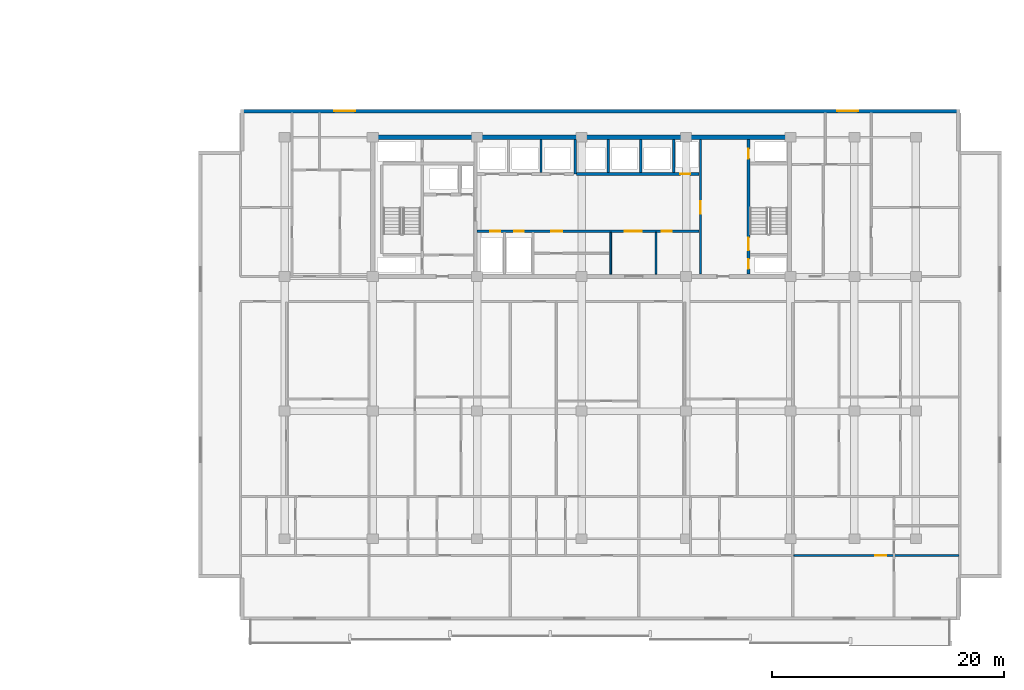
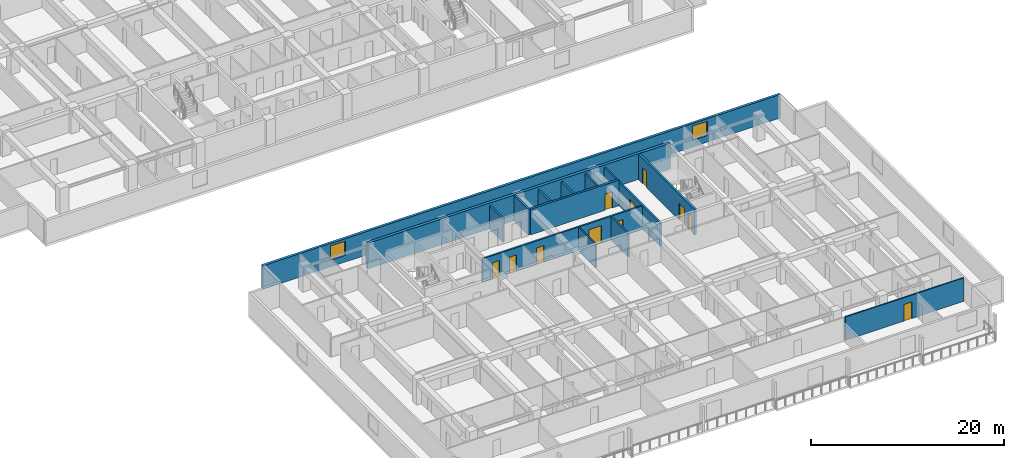
# One storey, part 7 of 23: 14 walls, 11 doors, 2 windows, 13 openings.
"""IFC4 building model written with IfcOpenShell, lengths in metres."""

from ifc_helpers import new_model, si_unit, direction, frame, frame_2d, origin, place, context, subcontext, project, spatial, rectangle, extrude, material, layer, layer_set, type_object, element, fill, save


model = new_model("IFC4")

# Units and contexts
model_context = context("Model", 3, precision=1e-05, world=origin(), true_north=direction((0.0, 1.0)))
body_context = subcontext(model_context, "Body", "Model", "MODEL_VIEW")
ifc_project = project(units=[si_unit("LENGTHUNIT", "METRE"), si_unit("AREAUNIT", "SQUARE_METRE"), si_unit("VOLUMEUNIT", "CUBIC_METRE"), si_unit("PLANEANGLEUNIT", "RADIAN"), si_unit("MASSUNIT", "GRAM", prefix="KILO")], contexts=[model_context])

# Site, building, storey
site_placement = place(None, origin())
site = spatial("IfcSite", under=ifc_project, at=site_placement, CompositionType="ELEMENT")
building_placement = place(site_placement, origin())
building = spatial("IfcBuilding", under=site, at=building_placement, Name="Korimba Cascade Residences", CompositionType="ELEMENT")
storey_placement = place(building_placement, frame((0.0, 0.0, 30.5)))
storey = spatial("IfcBuildingStorey", under=building, at=storey_placement, Name="L07", CompositionType="ELEMENT", Elevation=30.5)

# Wall, openings, windows
ifc_material_1 = material(Name="Precast concrete C40/50", Category="concrete")
ifc_layer_1 = layer(ifc_material_1, 0.300048828125)
ifc_layer_set_1 = layer_set([ifc_layer_1], Name="Precast concrete C40/50")
wall_type_1 = type_object("IfcWallType", Name="EW-STONE-300", PredefinedType="STANDARD", material=ifc_layer_set_1)
wall_1_placement = place(storey_placement, frame((132.699951171875, 32.64990234375, 0.0), z_axis=(0.0, 0.0, 1.0), x_axis=(-1.0, 0.0, 0.0)))
wall_1 = element("IfcWall", 1, at=wall_1_placement, inside=storey, type_object=wall_type_1, Name="L07 T2 Perimeter Stone Wall E06", PredefinedType="STANDARD", context=body_context, shape_type="SweptSolid", body=[
    extrude(rectangle(XDim=62.0, YDim=0.300048828125, at=frame_2d((31.0, 0.0))), origin(), (0.0, 0.0, 1.0), 2.969970703125),
])
opening_1_placement = place(wall_1_placement, frame((52.125, 0.0, 0.85009765625)))
opening_1 = element("IfcOpeningElement", 2, at=opening_1_placement, cuts=wall_1, Name="Opening W-02", PredefinedType="OPENING", context=body_context, shape_type="SweptSolid", body=[
    extrude(rectangle(XDim=1.800048828125, YDim=1.800048828125, at=frame_2d((0.89990234375, 0.89990234375))), frame((0.0, 0.16015625, 0.0), z_axis=(0.0, -1.0, 0.0), x_axis=(1.0, 0.0, 0.0)), (0.0, 0.0, 1.0), 0.320068359375),
])
opening_2_placement = place(wall_1_placement, frame((8.77490234375, 0.0, 0.85009765625)))
opening_2 = element("IfcOpeningElement", 3, at=opening_2_placement, cuts=wall_1, Name="Opening W-02", PredefinedType="OPENING", context=body_context, shape_type="SweptSolid", body=[
    extrude(rectangle(XDim=1.800048828125, YDim=1.800048828125, at=frame_2d((0.89990234375, 0.89990234375))), frame((0.0, 0.16015625, 0.0), z_axis=(0.0, -1.0, 0.0), x_axis=(1.0, 0.0, 0.0)), (0.0, 0.0, 1.0), 0.320068359375),
])
ifc_material_2 = material(Name="Double-Glazed Aluminium Window", Category="aluminium")
window_type = type_object("IfcWindowType", Name="WIN-BED-1800", PartitioningType="SINGLE_PANEL", PredefinedType="WINDOW", material=ifc_material_2)
window_1_placement = place(opening_1_placement, origin())
window_1 = element("IfcWindow", 4, at=window_1_placement, inside=storey, type_object=window_type, Name="L07 T2 North Corner Bedroom Window 1", OverallHeight=1.800048828125, OverallWidth=1.800048828125, PartitioningType="SINGLE_PANEL", PredefinedType="WINDOW", context=body_context, shape_type="SweptSolid", body=[
    extrude(rectangle(XDim=1.800048828125, YDim=1.800048828125, at=frame_2d((0.89990234375, 0.89990234375))), frame((0.0, 0.030029296875, 0.0), z_axis=(0.0, -1.0, 0.0), x_axis=(1.0, 0.0, 0.0)), (0.0, 0.0, 1.0), 0.06005859375),
])
fill(opening_1, window_1)
window_2_placement = place(opening_2_placement, origin())
window_2 = element("IfcWindow", 5, at=window_2_placement, inside=storey, type_object=window_type, Name="L07 T2 North Corner Bedroom Window 2", OverallHeight=1.800048828125, OverallWidth=1.800048828125, PartitioningType="SINGLE_PANEL", PredefinedType="WINDOW", context=body_context, shape_type="SweptSolid", body=[
    extrude(rectangle(XDim=1.800048828125, YDim=1.800048828125, at=frame_2d((0.89990234375, 0.89990234375))), frame((0.0, 0.030029296875, 0.0), z_axis=(0.0, -1.0, 0.0), x_axis=(1.0, 0.0, 0.0)), (0.0, 0.0, 1.0), 0.06005859375),
])
fill(opening_2, window_2)

# Walls
ifc_material_3 = material(Name="Concrete C65/80", Category="concrete")
ifc_layer_2 = layer(ifc_material_3, 0.35009765625)
ifc_layer_set_2 = layer_set([ifc_layer_2], Name="Concrete C65/80")
wall_type_2 = type_object("IfcWallType", Name="WAL-CORE-350", PredefinedType="SHEAR", material=ifc_layer_set_2)
wall_2_placement = place(storey_placement, frame((81.925048828125, 30.39990234375, 0.0), z_axis=(0.0, 0.0, 1.0), x_axis=(1.0, 0.0, 0.0)))
element("IfcWall", 6, at=wall_2_placement, inside=storey, type_object=wall_type_2, Name="L07 Core Shear Wall CW-L07-T2-N", PredefinedType="SHEAR", context=body_context, shape_type="SweptSolid", body=[
    extrude(rectangle(XDim=36.264892578125, YDim=0.35009765625, at=frame_2d((18.13232421875, 0.0))), origin(), (0.0, 0.0, 1.0), 3.25),
])
ifc_material_4 = material(Name="Insulated Acoustic Stud Partition", Category="gypsum")
ifc_layer_3 = layer(ifc_material_4, 0.14990234375)
ifc_layer_set_3 = layer_set([ifc_layer_3], Name="Insulated Acoustic Stud Partition")
wall_type_3 = type_object("IfcWallType", Name="WAL-PART-150", PredefinedType="PARTITIONING", material=ifc_layer_set_3)
for number, where, z_axis, x_axis, name in (
    (7, (102.60009765625, 18.60009765625, 0.0), (0.0, 0.0, 1.0), (0.0, 1.0, 0.0), "L07 Partition Wall CW-L07-T2-THW"),
    (8, (106.5, 18.60009765625, 0.0), (0.0, 0.0, 1.0), (0.0, 1.0, 0.0), "L07 Partition Wall CW-L07-T2-THE"),
):
    element("IfcWall", number, at=place(storey_placement, frame(where, z_axis=z_axis, x_axis=x_axis)), inside=storey, type_object=wall_type_3, Name=name, PredefinedType="PARTITIONING", context=body_context, shape_type="SweptSolid", body=[
        extrude(rectangle(XDim=3.599853515625, YDim=0.14990234375, at=frame_2d((1.7998046875, 0.0))), origin(), (0.0, 0.0, 1.0), 2.969970703125),
    ])

# Wall, opening, door
wall_3_placement = place(storey_placement, frame((118.38720703125, -5.64990234375, 0.0), z_axis=(0.0, 0.0, 1.0), x_axis=(1.0, 0.0, 0.0)))
wall_3 = element("IfcWall", 9, at=wall_3_placement, inside=storey, type_object=wall_type_3, Name="L07 Partition Wall WAL-L07-T2-U05-HZ", PredefinedType="PARTITIONING", context=body_context, shape_type="SweptSolid", body=[
    extrude(rectangle(XDim=14.23291015625, YDim=0.14990234375, at=frame_2d((7.116455078125, 0.0))), origin(), (0.0, 0.0, 1.0), 2.969970703125),
])
opening_3_placement = place(wall_3_placement, frame((7.01123046875, 0.0, 0.0)))
opening_3 = element("IfcOpeningElement", 10, at=opening_3_placement, cuts=wall_3, Name="Opening D-IN0", PredefinedType="OPENING", context=body_context, shape_type="SweptSolid", body=[
    extrude(rectangle(XDim=0.93994140625, YDim=2.10009765625, at=frame_2d((0.469970703125, 1.050048828125))), frame((0.0, 0.0849609375, 0.0), z_axis=(0.0, -1.0, 0.0), x_axis=(1.0, 0.0, 0.0)), (0.0, 0.0, 1.0), 0.169921875),
])
ifc_material_5 = material(Name="Acoustic Timber Living Archway Door", Category="wood")
door_type_1 = type_object("IfcDoorType", Name="DR-INT-950", OperationType="NOTDEFINED", PredefinedType="DOOR", material=ifc_material_5)
door_1_placement = place(opening_3_placement, origin())
door_1 = element("IfcDoor", 11, at=door_1_placement, inside=storey, type_object=door_type_1, Name="L07-T2-U05 Living Archway Door", OperationType="SINGLE_SWING_RIGHT", OverallHeight=2.10009765625, OverallWidth=0.93994140625, PredefinedType="DOOR", context=body_context, shape_type="SweptSolid", body=[
    extrude(rectangle(XDim=0.93994140625, YDim=2.10009765625, at=frame_2d((0.469970703125, 1.050048828125))), frame((0.0, 0.02490234375, 0.0), z_axis=(0.0, -1.0, 0.0), x_axis=(1.0, 0.0, 0.0)), (0.0, 0.0, 1.0), 0.050048828125),
])
fill(opening_3, door_1)

# Walls
ifc_material_6 = material(Name="Concrete C40/50", Category="concrete")
ifc_layer_4 = layer(ifc_material_6, 0.199951171875)
ifc_layer_set_4 = layer_set([ifc_layer_4], Name="Concrete C40/50")
wall_type_4 = type_object("IfcWallType", Name="WAL-PART-200", PredefinedType="PARTITIONING", material=ifc_layer_set_4)
for number, where, z_axis, x_axis, name in (
    (12, (96.60009765625, 27.3798828125, 0.0), (0.0, 0.0, 1.0), (0.0, 1.0, 0.0), "L07 Partition Wall CW-L07-T2-B1D2"),
    (13, (102.39990234375, 27.3798828125, 0.0), (0.0, 0.0, 1.0), (0.0, 1.0, 0.0), "L07 Partition Wall CW-L07-T2-B2D1"),
    (14, (105.199951171875, 27.3798828125, 0.0), (0.0, 0.0, 1.0), (0.0, 1.0, 0.0), "L07 Partition Wall CW-L07-T2-B2D2"),
    (15, (108.050048828125, 27.3798828125, 0.0), (0.0, 0.0, 1.0), (0.0, 1.0, 0.0), "L07 Partition Wall CW-L07-T2-B2D3"),
):
    element("IfcWall", number, at=place(storey_placement, frame(where, z_axis=z_axis, x_axis=x_axis)), inside=storey, type_object=wall_type_4, Name=name, PredefinedType="PARTITIONING", context=body_context, shape_type="SweptSolid", body=[
        extrude(rectangle(XDim=2.820068359375, YDim=0.199951171875, at=frame_2d((1.41015625, 0.0))), origin(), (0.0, 0.0, 1.0), 2.969970703125),
    ])

# Wall, openings, doors
wall_4_placement = place(storey_placement, frame((91.080078125, 22.300048828125, 0.0), z_axis=(0.0, 0.0, 1.0), x_axis=(1.0, 0.0, 0.0)))
wall_4 = element("IfcWall", 16, at=wall_4_placement, inside=storey, type_object=wall_type_4, Name="L07 Partition Wall CW-L07-T2-SRVROW", PredefinedType="PARTITIONING", context=body_context, shape_type="SweptSolid", body=[
    extrude(rectangle(XDim=19.139892578125, YDim=0.199951171875, at=frame_2d((9.56982421875, 0.0))), origin(), (0.0, 0.0, 1.0), 2.969970703125),
])
opening_4_placement = place(wall_4_placement, frame((1.14990234375, 0.0, 0.0)))
opening_4 = element("IfcOpeningElement", 17, at=opening_4_placement, cuts=wall_4, Name="Opening D-RS1", PredefinedType="OPENING", context=body_context, shape_type="SweptSolid", body=[
    extrude(rectangle(XDim=0.85009765625, YDim=2.050048828125, at=frame_2d((0.425048828125, 1.02490234375))), frame((0.0, 0.10986328125, 0.0), z_axis=(0.0, -1.0, 0.0), x_axis=(1.0, 0.0, 0.0)), (0.0, 0.0, 1.0), 0.219970703125),
])
opening_5_placement = place(wall_4_placement, frame((3.199951171875, 0.0, 0.0)))
opening_5 = element("IfcOpeningElement", 18, at=opening_5_placement, cuts=wall_4, Name="Opening D-RS1", PredefinedType="OPENING", context=body_context, shape_type="SweptSolid", body=[
    extrude(rectangle(XDim=0.85009765625, YDim=2.050048828125, at=frame_2d((0.425048828125, 1.02490234375))), frame((0.0, 0.10986328125, 0.0), z_axis=(0.0, -1.0, 0.0), x_axis=(1.0, 0.0, 0.0)), (0.0, 0.0, 1.0), 0.219970703125),
])
opening_6_placement = place(wall_4_placement, frame((12.719970703125, 0.0, 0.0)))
opening_6 = element("IfcOpeningElement", 19, at=opening_6_placement, cuts=wall_4, Name="Opening D-FD8", PredefinedType="OPENING", context=body_context, shape_type="SweptSolid", body=[
    extrude(rectangle(XDim=1.5, YDim=2.199951171875, at=frame_2d((0.75, 1.10009765625))), frame((0.0, 0.10986328125, 0.0), z_axis=(0.0, -1.0, 0.0), x_axis=(1.0, 0.0, 0.0)), (0.0, 0.0, 1.0), 0.219970703125),
])
opening_7_placement = place(wall_4_placement, frame((6.419921875, 0.0, 0.0)))
opening_7 = element("IfcOpeningElement", 20, at=opening_7_placement, cuts=wall_4, Name="Opening D-IN1", PredefinedType="OPENING", context=body_context, shape_type="SweptSolid", body=[
    extrude(rectangle(XDim=0.919921875, YDim=2.080078125, at=frame_2d((0.4599609375, 1.0400390625))), frame((0.0, 0.10986328125, 0.0), z_axis=(0.0, -1.0, 0.0), x_axis=(1.0, 0.0, 0.0)), (0.0, 0.0, 1.0), 0.219970703125),
])
opening_8_placement = place(wall_4_placement, frame((15.919921875, 0.0, 0.0)))
opening_8 = element("IfcOpeningElement", 21, at=opening_8_placement, cuts=wall_4, Name="Opening D-IN2", PredefinedType="OPENING", context=body_context, shape_type="SweptSolid", body=[
    extrude(rectangle(XDim=0.8798828125, YDim=2.06005859375, at=frame_2d((0.43994140625, 1.030029296875))), frame((0.0, 0.10986328125, 0.0), z_axis=(0.0, -1.0, 0.0), x_axis=(1.0, 0.0, 0.0)), (0.0, 0.0, 1.0), 0.219970703125),
])
ifc_material_7 = material(Name="Fire-Rated Steel Riser Access Door", Category="steel")
door_type_2 = type_object("IfcDoorType", Name="DR-FD60-850", OperationType="NOTDEFINED", PredefinedType="DOOR", material=ifc_material_7)
door_2_placement = place(opening_4_placement, origin())
door_2 = element("IfcDoor", 22, at=door_2_placement, inside=storey, type_object=door_type_2, Name="L07 T2 Electrical Riser Door", OperationType="SINGLE_SWING_RIGHT", OverallHeight=2.050048828125, OverallWidth=0.85009765625, PredefinedType="DOOR", context=body_context, shape_type="SweptSolid", body=[
    extrude(rectangle(XDim=0.85009765625, YDim=2.050048828125, at=frame_2d((0.425048828125, 1.02490234375))), frame((0.0, 0.02490234375, 0.0), z_axis=(0.0, -1.0, 0.0), x_axis=(1.0, 0.0, 0.0)), (0.0, 0.0, 1.0), 0.050048828125),
])
fill(opening_4, door_2)
door_3_placement = place(opening_5_placement, origin())
door_3 = element("IfcDoor", 23, at=door_3_placement, inside=storey, type_object=door_type_2, Name="L07 T2 Plumbing Riser Door", OperationType="SINGLE_SWING_LEFT", OverallHeight=2.050048828125, OverallWidth=0.85009765625, PredefinedType="DOOR", context=body_context, shape_type="SweptSolid", body=[
    extrude(rectangle(XDim=0.85009765625, YDim=2.050048828125, at=frame_2d((0.425048828125, 1.02490234375))), frame((0.0, 0.02490234375, 0.0), z_axis=(0.0, -1.0, 0.0), x_axis=(1.0, 0.0, 0.0)), (0.0, 0.0, 1.0), 0.050048828125),
])
fill(opening_5, door_3)
ifc_material_8 = material(Name="Fire-Rated Glazed Lift Lobby Double Door", Category="glass")
door_type_3 = type_object("IfcDoorType", Name="DR-FD90-1500", OperationType="NOTDEFINED", PredefinedType="DOOR", material=ifc_material_8)
door_4_placement = place(opening_6_placement, origin())
door_4 = element("IfcDoor", 24, at=door_4_placement, inside=storey, type_object=door_type_3, Name="L07 T2 Lift Lobby Foyer Door", OperationType="DOUBLE_DOOR_SINGLE_SWING", OverallHeight=2.199951171875, OverallWidth=1.5, PredefinedType="DOOR", context=body_context, shape_type="SweptSolid", body=[
    extrude(rectangle(XDim=1.5, YDim=2.199951171875, at=frame_2d((0.75, 1.10009765625))), frame((0.0, 0.02490234375, 0.0), z_axis=(0.0, -1.0, 0.0), x_axis=(1.0, 0.0, 0.0)), (0.0, 0.0, 1.0), 0.050048828125),
])
fill(opening_6, door_4)
ifc_material_9 = material(Name="Acoustic Timber Bedroom Door", Category="wood")
door_type_4 = type_object("IfcDoorType", Name="DR-INT-880", OperationType="NOTDEFINED", PredefinedType="DOOR", material=ifc_material_9)
door_5_placement = place(opening_8_placement, origin())
door_5 = element("IfcDoor", 25, at=door_5_placement, inside=storey, type_object=door_type_4, Name="L07 T2 Staff WC Door", OperationType="SINGLE_SWING_LEFT", OverallHeight=2.06005859375, OverallWidth=0.8798828125, PredefinedType="DOOR", context=body_context, shape_type="SweptSolid", body=[
    extrude(rectangle(XDim=0.8798828125, YDim=2.06005859375, at=frame_2d((0.43994140625, 1.030029296875))), frame((0.0, 0.02490234375, 0.0), z_axis=(0.0, -1.0, 0.0), x_axis=(1.0, 0.0, 0.0)), (0.0, 0.0, 1.0), 0.050048828125),
])
fill(opening_8, door_5)
ifc_material_10 = material(Name="Acoustic Timber Living Door", Category="wood")
door_type_5 = type_object("IfcDoorType", Name="DR-INT-920", OperationType="NOTDEFINED", PredefinedType="DOOR", material=ifc_material_10)
door_6_placement = place(opening_7_placement, origin())
door_6 = element("IfcDoor", 26, at=door_6_placement, inside=storey, type_object=door_type_5, Name="L07 T2 Locker Door", OperationType="SINGLE_SWING_RIGHT", OverallHeight=2.080078125, OverallWidth=0.919921875, PredefinedType="DOOR", context=body_context, shape_type="SweptSolid", body=[
    extrude(rectangle(XDim=0.919921875, YDim=2.080078125, at=frame_2d((0.4599609375, 1.0400390625))), frame((0.0, 0.02490234375, 0.0), z_axis=(0.0, -1.0, 0.0), x_axis=(1.0, 0.0, 0.0)), (0.0, 0.0, 1.0), 0.050048828125),
])
fill(opening_7, door_6)

# Wall, opening, door
wall_5_placement = place(storey_placement, frame((110.35009765625, 18.60009765625, 0.0), z_axis=(0.0, 0.0, 1.0), x_axis=(0.0, 1.0, 0.0)))
wall_5 = element("IfcWall", 27, at=wall_5_placement, inside=storey, type_object=wall_type_4, Name="L07 Partition Wall CW-L07-T2-LLEV", PredefinedType="PARTITIONING", context=body_context, shape_type="SweptSolid", body=[
    extrude(rectangle(XDim=11.599853515625, YDim=0.199951171875, at=frame_2d((5.7998046875, 0.0))), origin(), (0.0, 0.0, 1.0), 2.969970703125),
])
opening_9_placement = place(wall_5_placement, frame((5.199951171875, 0.0, 0.0)))
opening_9 = element("IfcOpeningElement", 28, at=opening_9_placement, cuts=wall_5, Name="Opening D-FD6", PredefinedType="OPENING", context=body_context, shape_type="SweptSolid", body=[
    extrude(rectangle(XDim=1.10009765625, YDim=2.14990234375, at=frame_2d((0.550048828125, 1.074951171875))), frame((0.0, 0.10986328125, 0.0), z_axis=(0.0, -1.0, 0.0), x_axis=(1.0, 0.0, 0.0)), (0.0, 0.0, 1.0), 0.219970703125),
])
ifc_material_11 = material(Name="Fire-Rated Timber Stair Lobby Door", Category="wood")
door_type_6 = type_object("IfcDoorType", Name="DR-FD90-1100", OperationType="NOTDEFINED", PredefinedType="DOOR", material=ifc_material_11)
door_7_placement = place(opening_9_placement, origin())
door_7 = element("IfcDoor", 29, at=door_7_placement, inside=storey, type_object=door_type_6, Name="L07 T2 Lift Lobby to East Stair Lobby Door", OperationType="SINGLE_SWING_RIGHT", OverallHeight=2.14990234375, OverallWidth=1.10009765625, PredefinedType="DOOR", context=body_context, shape_type="SweptSolid", body=[
    extrude(rectangle(XDim=1.10009765625, YDim=2.14990234375, at=frame_2d((0.550048828125, 1.074951171875))), frame((0.0, 0.02490234375, 0.0), z_axis=(0.0, -1.0, 0.0), x_axis=(1.0, 0.0, 0.0)), (0.0, 0.0, 1.0), 0.050048828125),
])
fill(opening_9, door_7)

# Wall
ifc_material_12 = material(Name="Concrete C50/60", Category="concrete")
ifc_layer_5 = layer(ifc_material_12, 0.25)
ifc_layer_set_5 = layer_set([ifc_layer_5], Name="Concrete C50/60")
wall_type_5 = type_object("IfcWallType", Name="WAL-SHAFT-250", PredefinedType="SHEAR", material=ifc_layer_set_5)
wall_6_placement = place(storey_placement, frame((99.550048828125, 27.25, 0.0), z_axis=(0.0, 0.0, 1.0), x_axis=(0.0, 1.0, 0.0)))
element("IfcWall", 30, at=wall_6_placement, inside=storey, type_object=wall_type_5, Name="L07 Core Shear Wall CW-L07-T2-B12DIV", PredefinedType="SHEAR", context=body_context, shape_type="SweptSolid", body=[
    extrude(rectangle(XDim=2.949951171875, YDim=0.25, at=frame_2d((1.47509765625, 0.0))), origin(), (0.0, 0.0, 1.0), 3.25),
])

# Wall, opening, door
wall_7_placement = place(storey_placement, frame((99.679931640625, 27.25, 0.0), z_axis=(0.0, 0.0, 1.0), x_axis=(1.0, 0.0, 0.0)))
wall_7 = element("IfcWall", 31, at=wall_7_placement, inside=storey, type_object=wall_type_5, Name="L07 Core Shear Wall CW-L07-T2-B2S", PredefinedType="SHEAR", context=body_context, shape_type="SweptSolid", body=[
    extrude(rectangle(XDim=10.5400390625, YDim=0.25, at=frame_2d((5.27001953125, 0.0))), origin(), (0.0, 0.0, 1.0), 3.25),
])
opening_10_placement = place(wall_7_placement, frame((8.919921875, 0.0, 0.0)))
opening_10 = element("IfcOpeningElement", 32, at=opening_10_placement, cuts=wall_7, Name="Opening D-RS1", PredefinedType="OPENING", context=body_context, shape_type="SweptSolid", body=[
    extrude(rectangle(XDim=0.85009765625, YDim=2.050048828125, at=frame_2d((0.425048828125, 1.02490234375))), frame((0.0, 0.135009765625, 0.0), z_axis=(0.0, -1.0, 0.0), x_axis=(1.0, 0.0, 0.0)), (0.0, 0.0, 1.0), 0.27001953125),
])
door_8_placement = place(opening_10_placement, origin())
door_8 = element("IfcDoor", 33, at=door_8_placement, inside=storey, type_object=door_type_2, Name="L07 T2 Duct Door", OperationType="SINGLE_SWING_RIGHT", OverallHeight=2.050048828125, OverallWidth=0.85009765625, PredefinedType="DOOR", context=body_context, shape_type="SweptSolid", body=[
    extrude(rectangle(XDim=0.85009765625, YDim=2.050048828125, at=frame_2d((0.425048828125, 1.02490234375))), frame((0.0, 0.02490234375, 0.0), z_axis=(0.0, -1.0, 0.0), x_axis=(1.0, 0.0, 0.0)), (0.0, 0.0, 1.0), 0.050048828125),
])
fill(opening_10, door_8)

# Wall, openings, doors
wall_8_placement = place(storey_placement, frame((114.47509765625, 18.60009765625, 0.0), z_axis=(0.0, 0.0, 1.0), x_axis=(0.0, 1.0, 0.0)))
wall_8 = element("IfcWall", 34, at=wall_8_placement, inside=storey, type_object=wall_type_5, Name="L07 Core Shear Wall CW-L07-T2-STE2W", PredefinedType="SHEAR", context=body_context, shape_type="SweptSolid", body=[
    extrude(rectangle(XDim=11.599853515625, YDim=0.25, at=frame_2d((5.7998046875, 0.0))), origin(), (0.0, 0.0, 1.0), 3.25),
])
opening_11_placement = place(wall_8_placement, frame((0.449951171875, 0.0, 0.0)))
opening_11 = element("IfcOpeningElement", 35, at=opening_11_placement, cuts=wall_8, Name="Opening D-RS1", PredefinedType="OPENING", context=body_context, shape_type="SweptSolid", body=[
    extrude(rectangle(XDim=0.85009765625, YDim=2.050048828125, at=frame_2d((0.425048828125, 1.02490234375))), frame((0.0, 0.135009765625, 0.0), z_axis=(0.0, -1.0, 0.0), x_axis=(1.0, 0.0, 0.0)), (0.0, 0.0, 1.0), 0.27001953125),
])
opening_12_placement = place(wall_8_placement, frame((2.050048828125, 0.0, 0.0)))
opening_12 = element("IfcOpeningElement", 36, at=opening_12_placement, cuts=wall_8, Name="Opening D-FD1", PredefinedType="OPENING", context=body_context, shape_type="SweptSolid", body=[
    extrude(rectangle(XDim=1.10009765625, YDim=2.10009765625, at=frame_2d((0.550048828125, 1.050048828125))), frame((0.0, 0.135009765625, 0.0), z_axis=(0.0, -1.0, 0.0), x_axis=(1.0, 0.0, 0.0)), (0.0, 0.0, 1.0), 0.27001953125),
])
opening_13_placement = place(wall_8_placement, frame((9.949951171875, 0.0, 0.0)))
opening_13 = element("IfcOpeningElement", 37, at=opening_13_placement, cuts=wall_8, Name="Opening D-RS1", PredefinedType="OPENING", context=body_context, shape_type="SweptSolid", body=[
    extrude(rectangle(XDim=0.85009765625, YDim=2.050048828125, at=frame_2d((0.425048828125, 1.02490234375))), frame((0.0, 0.135009765625, 0.0), z_axis=(0.0, -1.0, 0.0), x_axis=(1.0, 0.0, 0.0)), (0.0, 0.0, 1.0), 0.27001953125),
])
ifc_material_13 = material(Name="Fire-Rated Steel Core Door", Category="steel")
door_type_7 = type_object("IfcDoorType", Name="DR-FD120-1100", OperationType="NOTDEFINED", PredefinedType="DOOR", material=ifc_material_13)
door_9_placement = place(opening_12_placement, origin())
door_9 = element("IfcDoor", 38, at=door_9_placement, inside=storey, type_object=door_type_7, Name="L07 Fire Stair ST-E2 Door", OperationType="SINGLE_SWING_RIGHT", OverallHeight=2.10009765625, OverallWidth=1.10009765625, PredefinedType="DOOR", context=body_context, shape_type="SweptSolid", body=[
    extrude(rectangle(XDim=1.10009765625, YDim=2.10009765625, at=frame_2d((0.550048828125, 1.050048828125))), frame((0.0, 0.02490234375, 0.0), z_axis=(0.0, -1.0, 0.0), x_axis=(1.0, 0.0, 0.0)), (0.0, 0.0, 1.0), 0.050048828125),
])
fill(opening_12, door_9)
door_10_placement = place(opening_11_placement, origin())
door_10 = element("IfcDoor", 39, at=door_10_placement, inside=storey, type_object=door_type_2, Name="L07 T2 East Hydrant Door", OperationType="SINGLE_SWING_LEFT", OverallHeight=2.050048828125, OverallWidth=0.85009765625, PredefinedType="DOOR", context=body_context, shape_type="SweptSolid", body=[
    extrude(rectangle(XDim=0.85009765625, YDim=2.050048828125, at=frame_2d((0.425048828125, 1.02490234375))), frame((0.0, 0.02490234375, 0.0), z_axis=(0.0, -1.0, 0.0), x_axis=(1.0, 0.0, 0.0)), (0.0, 0.0, 1.0), 0.050048828125),
])
fill(opening_11, door_10)
door_11_placement = place(opening_13_placement, origin())
door_11 = element("IfcDoor", 40, at=door_11_placement, inside=storey, type_object=door_type_2, Name="L07 T2 East Riser Door", OperationType="SINGLE_SWING_LEFT", OverallHeight=2.050048828125, OverallWidth=0.85009765625, PredefinedType="DOOR", context=body_context, shape_type="SweptSolid", body=[
    extrude(rectangle(XDim=0.85009765625, YDim=2.050048828125, at=frame_2d((0.425048828125, 1.02490234375))), frame((0.0, 0.02490234375, 0.0), z_axis=(0.0, -1.0, 0.0), x_axis=(1.0, 0.0, 0.0)), (0.0, 0.0, 1.0), 0.050048828125),
])
fill(opening_13, door_11)

save(model, "model.ifc")
